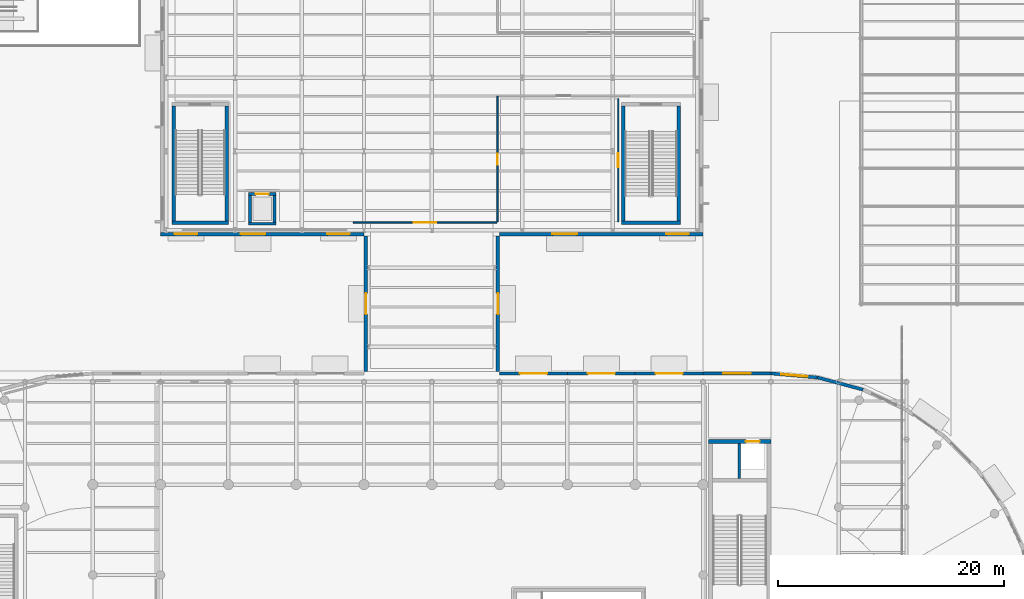
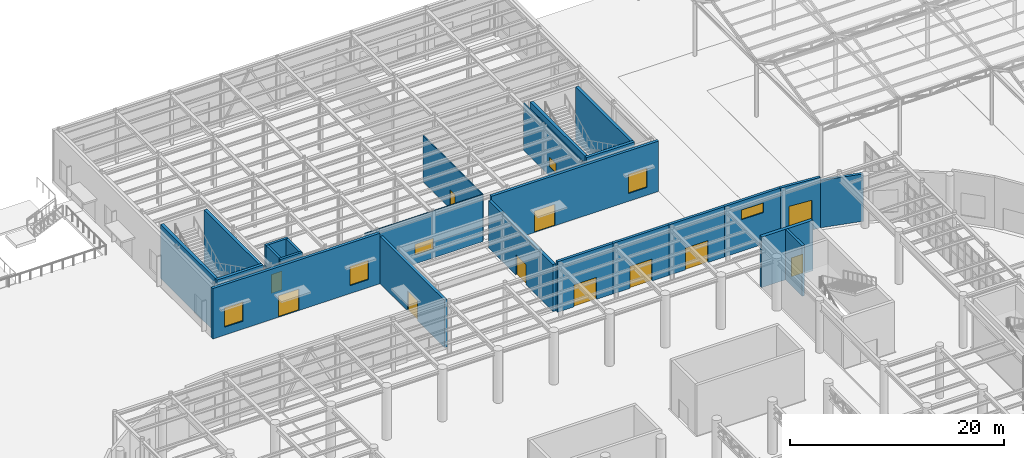
# One storey, part 92 of 118: 25 walls, 10 doors, 7 windows, 17 openings.
"""IFC4 building model written with IfcOpenShell, lengths in metres."""

from ifc_helpers import new_model, si_unit, direction, frame, frame_2d, origin, place, context, subcontext, project, spatial, rectangle, extrude, material, layer, layer_set, type_object, element, fill, save


model = new_model("IFC4")

# Units and contexts
model_context = context("Model", 3, precision=1e-05, world=origin(), true_north=direction((0.0, 1.0)))
body_context = subcontext(model_context, "Body", "Model", "MODEL_VIEW")
ifc_project = project(units=[si_unit("LENGTHUNIT", "METRE"), si_unit("AREAUNIT", "SQUARE_METRE"), si_unit("VOLUMEUNIT", "CUBIC_METRE"), si_unit("PLANEANGLEUNIT", "RADIAN"), si_unit("MASSUNIT", "GRAM", prefix="KILO")], contexts=[model_context])

# Site, building, storey
site_placement = place(None, origin())
site = spatial("IfcSite", under=ifc_project, at=site_placement, CompositionType="ELEMENT")
building_placement = place(site_placement, origin())
building = spatial("IfcBuilding", under=site, at=building_placement, Name="Kolvaren Corner Interchange", CompositionType="ELEMENT")
storey_placement = place(building_placement, origin())
storey = spatial("IfcBuildingStorey", under=building, at=storey_placement, Name="L01", CompositionType="ELEMENT", Elevation=0.0)

# Wall, opening, door
ifc_material_1 = material(Name="Concrete C35/45", Category="concrete")
ifc_layer_1 = layer(ifc_material_1, 0.35009765625)
ifc_layer_set_1 = layer_set([ifc_layer_1], Name="Concrete C35/45")
wall_type_1 = type_object("IfcWallType", Name="WL-CORE-350", PredefinedType="SHEAR", material=ifc_layer_set_1)
wall_1_placement = place(storey_placement, frame((114.5, 65.824951171875, 0.0), z_axis=(0.0, 0.0, 1.0), x_axis=(1.0, 0.0, 0.0)))
wall_1 = element("IfcWall", 1, at=wall_1_placement, inside=storey, type_object=wall_type_1, Name="Core C4 L01 North Shear Wall", PredefinedType="SHEAR", context=body_context, shape_type="SweptSolid", body=[
    extrude(rectangle(XDim=5.5, YDim=0.35009765625, at=frame_2d((2.75, 0.0))), origin(), (0.0, 0.0, 1.0), 5.75),
])
opening_1_placement = place(wall_1_placement, frame((3.2900390625, 0.0, 0.0)))
opening_1 = element("IfcOpeningElement", 2, at=opening_1_placement, cuts=wall_1, Name="Opening LD-LF-P2-L01", PredefinedType="OPENING", context=body_context, shape_type="SweptSolid", body=[
    extrude(rectangle(XDim=1.219970703125, YDim=2.14990234375, at=frame_2d((0.60986328125, 1.074951171875))), frame((0.0, 0.18505859375, 0.0), z_axis=(0.0, -1.0, 0.0), x_axis=(1.0, 0.0, 0.0)), (0.0, 0.0, 1.0), 0.3701171875),
])
ifc_material_2 = material(Name="Brushed Stainless Steel Landing Door", Category="steel")
door_type_1 = type_object("IfcDoorType", Name="DT-LIFT-1220", OperationType="NOTDEFINED", PredefinedType="DOOR", material=ifc_material_2)
door_1_placement = place(opening_1_placement, origin())
door_1 = element("IfcDoor", 3, at=door_1_placement, inside=storey, type_object=door_type_1, Name="Passenger Lift LF P2 L01 Sliding Landing Door", OperationType="DOUBLE_DOOR_SLIDING", OverallHeight=2.14990234375, OverallWidth=1.219970703125, PredefinedType="DOOR", context=body_context, shape_type="SweptSolid", body=[
    extrude(rectangle(XDim=1.219970703125, YDim=2.14990234375, at=frame_2d((0.60986328125, 1.074951171875))), frame((0.0, 0.02490234375, 0.0), z_axis=(0.0, -1.0, 0.0), x_axis=(1.0, 0.0, 0.0)), (0.0, 0.0, 1.0), 0.050048828125),
])
fill(opening_1, door_1)

# Walls
ifc_material_3 = material(Name="Concrete C35/45", Category="concrete")
ifc_layer_2 = layer(ifc_material_3, 0.31005859375)
ifc_layer_set_2 = layer_set([ifc_layer_2], Name="Concrete C35/45")
wall_type_2 = type_object("IfcWallType", Name="WL-STAIR-300", PredefinedType="SHEAR", material=ifc_layer_set_2)
wall_2_placement = place(storey_placement, frame((67.0, 85.155029296875, -0.39990234375), z_axis=(0.0, 0.0, 1.0), x_axis=(1.0, 0.0, 0.0)))
element("IfcWall", 4, at=wall_2_placement, inside=storey, type_object=wall_type_2, Name="Cycle Hub West Pavilion Exit Stair L01 South Enclosure Wall", PredefinedType="SHEAR", context=body_context, shape_type="SweptSolid", body=[
    extrude(rectangle(XDim=5.0, YDim=0.31005859375, at=frame_2d((2.5, 0.0))), origin(), (0.0, 0.0, 1.0), 6.14990234375),
])
for number, where, z_axis, x_axis, name in (
    (5, (67.155029296875, 85.31005859375, -0.39990234375), (0.0, 0.0, 1.0), (0.0, 1.0, 0.0), "Cycle Hub West Pavilion Exit Stair L01 West Enclosure Wall"),
    (6, (71.844970703125, 85.31005859375, -0.39990234375), (0.0, 0.0, 1.0), (0.0, 1.0, 0.0), "Cycle Hub West Pavilion Exit Stair L01 East Enclosure Wall"),
):
    element("IfcWall", number, at=place(storey_placement, frame(where, z_axis=z_axis, x_axis=x_axis)), inside=storey, type_object=wall_type_2, Name=name, PredefinedType="SHEAR", context=body_context, shape_type="SweptSolid", body=[
        extrude(rectangle(XDim=10.179931640625, YDim=0.31005859375, at=frame_2d((5.08984375, 0.0))), origin(), (0.0, 0.0, 1.0), 6.14990234375),
    ])
wall_3_placement = place(storey_placement, frame((106.800048828125, 85.155029296875, -0.39990234375), z_axis=(0.0, 0.0, 1.0), x_axis=(1.0, 0.0, 0.0)))
element("IfcWall", 7, at=wall_3_placement, inside=storey, type_object=wall_type_2, Name="Cycle Hub East Mezzanine Exit Stair L01 South Enclosure Wall", PredefinedType="SHEAR", context=body_context, shape_type="SweptSolid", body=[
    extrude(rectangle(XDim=5.199951171875, YDim=0.31005859375, at=frame_2d((2.60009765625, 0.0))), origin(), (0.0, 0.0, 1.0), 6.14990234375),
])
for number, where, z_axis, x_axis, name in (
    (8, (106.955078125, 85.31005859375, -0.39990234375), (0.0, 0.0, 1.0), (0.0, 1.0, 0.0), "Cycle Hub East Mezzanine Exit Stair L01 West Enclosure Wall"),
    (9, (111.844970703125, 85.31005859375, -0.39990234375), (0.0, 0.0, 1.0), (0.0, 1.0, 0.0), "Cycle Hub East Mezzanine Exit Stair L01 East Enclosure Wall"),
):
    element("IfcWall", number, at=place(storey_placement, frame(where, z_axis=z_axis, x_axis=x_axis)), inside=storey, type_object=wall_type_2, Name=name, PredefinedType="SHEAR", context=body_context, shape_type="SweptSolid", body=[
        extrude(rectangle(XDim=10.179931640625, YDim=0.31005859375, at=frame_2d((5.08984375, 0.0))), origin(), (0.0, 0.0, 1.0), 6.14990234375),
    ])

# Wall, openings, door, windows
ifc_material_4 = material(Name="Ochre Architectural Terracotta Rainscreen Assembly", Category="masonry")
ifc_layer_3 = layer(ifc_material_4, 0.300048828125)
ifc_layer_set_3 = layer_set([ifc_layer_3], Name="Ochre Architectural Terracotta Rainscreen Assembly")
wall_type_3 = type_object("IfcWallType", Name="WT-EXT-OCH300", PredefinedType="SOLIDWALL", material=ifc_layer_set_3)
wall_4_placement = place(storey_placement, frame((66.0, 84.159912109375, 0.0), z_axis=(0.0, 0.0, 1.0), x_axis=(1.0, 0.0, 0.0)))
wall_4 = element("IfcWall", 10, at=wall_4_placement, inside=storey, type_object=wall_type_3, Name="Cycle Hub South West Facade Wall 0168", PredefinedType="SOLIDWALL", context=body_context, shape_type="SweptSolid", body=[
    extrude(rectangle(XDim=18.0, YDim=0.300048828125, at=frame_2d((9.0, 0.0))), origin(), (0.0, 0.0, 1.0), 5.739990234375),
])
opening_2_placement = place(wall_4_placement, frame((7.080078125, 0.0, 0.0)))
opening_2 = element("IfcOpeningElement", 11, at=opening_2_placement, cuts=wall_4, Name="Opening D-E08", PredefinedType="OPENING", context=body_context, shape_type="SweptSolid", body=[
    extrude(rectangle(XDim=2.199951171875, YDim=2.449951171875, at=frame_2d((1.10009765625, 1.22509765625))), frame((0.0, 0.159912109375, 0.0), z_axis=(0.0, -1.0, 0.0), x_axis=(1.0, 0.0, 0.0)), (0.0, 0.0, 1.0), 0.320068359375),
])
opening_3_placement = place(wall_4_placement, frame((1.25, 0.0, 0.89990234375)))
opening_3 = element("IfcOpeningElement", 12, at=opening_3_placement, cuts=wall_4, Name="Opening W-06", PredefinedType="OPENING", context=body_context, shape_type="SweptSolid", body=[
    extrude(rectangle(XDim=2.0, YDim=2.199951171875, at=frame_2d((1.0, 1.10009765625))), frame((0.0, 0.159912109375, 0.0), z_axis=(0.0, -1.0, 0.0), x_axis=(1.0, 0.0, 0.0)), (0.0, 0.0, 1.0), 0.320068359375),
])
opening_4_placement = place(wall_4_placement, frame((14.75, 0.0, 0.89990234375)))
opening_4 = element("IfcOpeningElement", 13, at=opening_4_placement, cuts=wall_4, Name="Opening W-06", PredefinedType="OPENING", context=body_context, shape_type="SweptSolid", body=[
    extrude(rectangle(XDim=2.0, YDim=2.199951171875, at=frame_2d((1.0, 1.10009765625))), frame((0.0, 0.159912109375, 0.0), z_axis=(0.0, -1.0, 0.0), x_axis=(1.0, 0.0, 0.0)), (0.0, 0.0, 1.0), 0.320068359375),
])
ifc_material_5 = material(Name="Anodised Aluminium and Laminated Safety Glass", Category="aluminium")
door_type_2 = type_object("IfcDoorType", Name="DT-EXT-DBL2200", OperationType="NOTDEFINED", PredefinedType="DOOR", material=ifc_material_5)
door_2_placement = place(opening_2_placement, origin())
door_2 = element("IfcDoor", 14, at=door_2_placement, inside=storey, type_object=door_type_2, Name="L01 Cycle Hub South Entrance Door 025", OperationType="DOUBLE_DOOR_SINGLE_SWING", OverallHeight=2.449951171875, OverallWidth=2.199951171875, PredefinedType="DOOR", context=body_context, shape_type="SweptSolid", body=[
    extrude(rectangle(XDim=2.199951171875, YDim=2.449951171875, at=frame_2d((1.10009765625, 1.22509765625))), frame((0.0, 0.02490234375, 0.0), z_axis=(0.0, -1.0, 0.0), x_axis=(1.0, 0.0, 0.0)), (0.0, 0.0, 1.0), 0.050048828125),
])
fill(opening_2, door_2)
ifc_material_6 = material(Name="Thermally Broken Aluminium and Solar-Control Double Glazing", Category="aluminium")
window_type_1 = type_object("IfcWindowType", Name="WT-CYC-2000x2200", PartitioningType="DOUBLE_PANEL_HORIZONTAL", PredefinedType="WINDOW", material=ifc_material_6)
window_1_placement = place(opening_3_placement, origin())
window_1 = element("IfcWindow", 15, at=window_1_placement, inside=storey, type_object=window_type_1, Name="L01 Cycle Hub South West Facade Window 0245", OverallHeight=2.199951171875, OverallWidth=2.0, PartitioningType="SINGLE_PANEL", PredefinedType="WINDOW", context=body_context, shape_type="SweptSolid", body=[
    extrude(rectangle(XDim=2.0, YDim=2.199951171875, at=frame_2d((1.0, 1.10009765625))), frame((0.0, 0.030029296875, 0.0), z_axis=(0.0, -1.0, 0.0), x_axis=(1.0, 0.0, 0.0)), (0.0, 0.0, 1.0), 0.06005859375),
])
fill(opening_3, window_1)
window_2_placement = place(opening_4_placement, origin())
window_2 = element("IfcWindow", 16, at=window_2_placement, inside=storey, type_object=window_type_1, Name="L01 Cycle Hub South West Facade Window 0246", OverallHeight=2.199951171875, OverallWidth=2.0, PartitioningType="SINGLE_PANEL", PredefinedType="WINDOW", context=body_context, shape_type="SweptSolid", body=[
    extrude(rectangle(XDim=2.0, YDim=2.199951171875, at=frame_2d((1.0, 1.10009765625))), frame((0.0, 0.030029296875, 0.0), z_axis=(0.0, -1.0, 0.0), x_axis=(1.0, 0.0, 0.0)), (0.0, 0.0, 1.0), 0.06005859375),
])
fill(opening_4, window_2)

# Wall, openings, door, window
wall_5_placement = place(storey_placement, frame((96.0, 84.159912109375, 0.0), z_axis=(0.0, 0.0, 1.0), x_axis=(1.0, 0.0, 0.0)))
wall_5 = element("IfcWall", 17, at=wall_5_placement, inside=storey, type_object=wall_type_3, Name="Cycle Hub South East Facade Wall 0169", PredefinedType="SOLIDWALL", context=body_context, shape_type="SweptSolid", body=[
    extrude(rectangle(XDim=18.0, YDim=0.300048828125, at=frame_2d((9.0, 0.0))), origin(), (0.0, 0.0, 1.0), 5.739990234375),
])
opening_5_placement = place(wall_5_placement, frame((4.659912109375, 0.0, 0.0)))
opening_5 = element("IfcOpeningElement", 18, at=opening_5_placement, cuts=wall_5, Name="Opening D-E08", PredefinedType="OPENING", context=body_context, shape_type="SweptSolid", body=[
    extrude(rectangle(XDim=2.199951171875, YDim=2.449951171875, at=frame_2d((1.10009765625, 1.22509765625))), frame((0.0, 0.159912109375, 0.0), z_axis=(0.0, -1.0, 0.0), x_axis=(1.0, 0.0, 0.0)), (0.0, 0.0, 1.0), 0.320068359375),
])
opening_6_placement = place(wall_5_placement, frame((14.75, 0.0, 0.89990234375)))
opening_6 = element("IfcOpeningElement", 19, at=opening_6_placement, cuts=wall_5, Name="Opening W-06", PredefinedType="OPENING", context=body_context, shape_type="SweptSolid", body=[
    extrude(rectangle(XDim=2.0, YDim=2.199951171875, at=frame_2d((1.0, 1.10009765625))), frame((0.0, 0.159912109375, 0.0), z_axis=(0.0, -1.0, 0.0), x_axis=(1.0, 0.0, 0.0)), (0.0, 0.0, 1.0), 0.320068359375),
])
door_3_placement = place(opening_5_placement, origin())
door_3 = element("IfcDoor", 20, at=door_3_placement, inside=storey, type_object=door_type_2, Name="L01 Cycle Workshop Plinth Entrance Door 026", OperationType="DOUBLE_DOOR_SINGLE_SWING", OverallHeight=2.449951171875, OverallWidth=2.199951171875, PredefinedType="DOOR", context=body_context, shape_type="SweptSolid", body=[
    extrude(rectangle(XDim=2.199951171875, YDim=2.449951171875, at=frame_2d((1.10009765625, 1.22509765625))), frame((0.0, 0.02490234375, 0.0), z_axis=(0.0, -1.0, 0.0), x_axis=(1.0, 0.0, 0.0)), (0.0, 0.0, 1.0), 0.050048828125),
])
fill(opening_5, door_3)
window_3_placement = place(opening_6_placement, origin())
window_3 = element("IfcWindow", 21, at=window_3_placement, inside=storey, type_object=window_type_1, Name="L01 Cycle Hub South East Facade Window 0247", OverallHeight=2.199951171875, OverallWidth=2.0, PartitioningType="SINGLE_PANEL", PredefinedType="WINDOW", context=body_context, shape_type="SweptSolid", body=[
    extrude(rectangle(XDim=2.0, YDim=2.199951171875, at=frame_2d((1.0, 1.10009765625))), frame((0.0, 0.030029296875, 0.0), z_axis=(0.0, -1.0, 0.0), x_axis=(1.0, 0.0, 0.0)), (0.0, 0.0, 1.0), 0.06005859375),
])
fill(opening_6, window_3)

# Wall, opening, door
wall_6_placement = place(storey_placement, frame((84.159912109375, 84.0, 0.0), z_axis=(0.0, 0.0, 1.0), x_axis=(0.0, -1.0, 0.0)))
wall_6 = element("IfcWall", 22, at=wall_6_placement, inside=storey, type_object=wall_type_3, Name="Cycle Concourse Link West Wall 0183", PredefinedType="SOLIDWALL", context=body_context, shape_type="SweptSolid", body=[
    extrude(rectangle(XDim=12.0, YDim=0.300048828125, at=frame_2d((6.0, 0.0))), origin(), (0.0, 0.0, 1.0), 5.375),
])
opening_7_placement = place(wall_6_placement, frame((5.074951171875, 0.0, 0.0)))
opening_7 = element("IfcOpeningElement", 23, at=opening_7_placement, cuts=wall_6, Name="Opening D-E09", PredefinedType="OPENING", context=body_context, shape_type="SweptSolid", body=[
    extrude(rectangle(XDim=1.85009765625, YDim=2.300048828125, at=frame_2d((0.925048828125, 1.14990234375))), frame((0.0, 0.159912109375, 0.0), z_axis=(0.0, -1.0, 0.0), x_axis=(1.0, 0.0, 0.0)), (0.0, 0.0, 1.0), 0.320068359375),
])
ifc_material_7 = material(Name="Anodised Aluminium and Laminated Safety Glass", Category="aluminium")
door_type_3 = type_object("IfcDoorType", Name="DT-EXT-DBL1850", OperationType="NOTDEFINED", PredefinedType="DOOR", material=ifc_material_7)
door_4_placement = place(opening_7_placement, origin())
door_4 = element("IfcDoor", 24, at=door_4_placement, inside=storey, type_object=door_type_3, Name="L01 Cycle Link Rain Court West Exit Door 030", OperationType="DOUBLE_DOOR_SINGLE_SWING", OverallHeight=2.300048828125, OverallWidth=1.85009765625, PredefinedType="DOOR", context=body_context, shape_type="SweptSolid", body=[
    extrude(rectangle(XDim=1.85009765625, YDim=2.300048828125, at=frame_2d((0.925048828125, 1.14990234375))), frame((0.0, 0.02490234375, 0.0), z_axis=(0.0, -1.0, 0.0), x_axis=(1.0, 0.0, 0.0)), (0.0, 0.0, 1.0), 0.050048828125),
])
fill(opening_7, door_4)

wall_7_placement = place(storey_placement, frame((95.840087890625, 72.0, 0.0), z_axis=(0.0, 0.0, 1.0), x_axis=(0.0, 1.0, 0.0)))
wall_7 = element("IfcWall", 25, at=wall_7_placement, inside=storey, type_object=wall_type_3, Name="Cycle Concourse Link East Wall 0184", PredefinedType="SOLIDWALL", context=body_context, shape_type="SweptSolid", body=[
    extrude(rectangle(XDim=12.0, YDim=0.300048828125, at=frame_2d((6.0, 0.0))), origin(), (0.0, 0.0, 1.0), 5.375),
])
opening_8_placement = place(wall_7_placement, frame((5.074951171875, 0.0, 0.0)))
opening_8 = element("IfcOpeningElement", 26, at=opening_8_placement, cuts=wall_7, Name="Opening D-E09", PredefinedType="OPENING", context=body_context, shape_type="SweptSolid", body=[
    extrude(rectangle(XDim=1.85009765625, YDim=2.300048828125, at=frame_2d((0.925048828125, 1.14990234375))), frame((0.0, 0.159912109375, 0.0), z_axis=(0.0, -1.0, 0.0), x_axis=(1.0, 0.0, 0.0)), (0.0, 0.0, 1.0), 0.320068359375),
])
door_5_placement = place(opening_8_placement, origin())
door_5 = element("IfcDoor", 27, at=door_5_placement, inside=storey, type_object=door_type_3, Name="L01 Cycle Link Rain Court East Exit Door 031", OperationType="DOUBLE_DOOR_SINGLE_SWING", OverallHeight=2.300048828125, OverallWidth=1.85009765625, PredefinedType="DOOR", context=body_context, shape_type="SweptSolid", body=[
    extrude(rectangle(XDim=1.85009765625, YDim=2.300048828125, at=frame_2d((0.925048828125, 1.14990234375))), frame((0.0, 0.02490234375, 0.0), z_axis=(0.0, -1.0, 0.0), x_axis=(1.0, 0.0, 0.0)), (0.0, 0.0, 1.0), 0.050048828125),
])
fill(opening_8, door_5)

# Wall
ifc_material_8 = material(Name="White Glazed Ceramic Terracotta Band Assembly", Category="masonry")
ifc_layer_4 = layer(ifc_material_8, 0.280029296875)
ifc_layer_set_4 = layer_set([ifc_layer_4], Name="White Glazed Ceramic Terracotta Band Assembly")
wall_type_4 = type_object("IfcWallType", Name="WT-EXT-WHT280", PredefinedType="SOLIDWALL", material=ifc_layer_set_4)
wall_8_placement = place(storey_placement, frame((128.15380859375, 70.40234375, 0.0), z_axis=(0.0, 0.0, 1.0), x_axis=(-0.965931006096, 0.258799713026, 0.0)))
element("IfcWall", 28, at=wall_8_placement, inside=storey, type_object=wall_type_4, Name="Racetrack East Curved Drum Chord 17 Wall 0114", PredefinedType="SOLIDWALL", context=body_context, shape_type="SweptSolid", body=[
    extrude(rectangle(XDim=4.155517578125, YDim=0.280029296875, at=frame_2d((2.07763671875, 0.0))), origin(), (0.0, 0.0, 1.0), 5.385009765625),
])

# Wall, opening, window
wall_9_placement = place(storey_placement, frame((124.139892578125, 71.477783203125, 0.0), z_axis=(0.0, 0.0, 1.0), x_axis=(-0.99619237826, 0.087182254487, 0.0)))
wall_9 = element("IfcWall", 29, at=wall_9_placement, inside=storey, type_object=wall_type_4, Name="Racetrack East Curved Drum Chord 18 Wall 0115", PredefinedType="SOLIDWALL", context=body_context, shape_type="SweptSolid", body=[
    extrude(rectangle(XDim=4.15576171875, YDim=0.280029296875, at=frame_2d((2.077880859375, 0.0))), origin(), (0.0, 0.0, 1.0), 5.75),
])
opening_9_placement = place(wall_9_placement, frame((0.90283203125, 0.0, 0.85009765625)))
opening_9 = element("IfcOpeningElement", 30, at=opening_9_placement, cuts=wall_9, Name="Opening W-15", PredefinedType="OPENING", context=body_context, shape_type="SweptSolid", body=[
    extrude(rectangle(XDim=2.35009765625, YDim=2.550048828125, at=frame_2d((1.175048828125, 1.27490234375))), frame((0.0, 0.14990234375, 0.0), z_axis=(0.0, -1.0, 0.0), x_axis=(1.0, 0.0, 0.0)), (0.0, 0.0, 1.0), 0.300048828125),
])
ifc_material_9 = material(Name="Thermally Broken Aluminium and Solar-Control Double Glazing", Category="aluminium")
window_type_2 = type_object("IfcWindowType", Name="WT-ARC-2350x2550", PartitioningType="TRIPLE_PANEL_HORIZONTAL", PredefinedType="WINDOW", material=ifc_material_9)
window_4_placement = place(opening_9_placement, origin())
window_4 = element("IfcWindow", 31, at=window_4_placement, inside=storey, type_object=window_type_2, Name="L01 Racetrack East Curved Drum Chord 18 Window 0183", OverallHeight=2.550048828125, OverallWidth=2.35009765625, PartitioningType="SINGLE_PANEL", PredefinedType="WINDOW", context=body_context, shape_type="SweptSolid", body=[
    extrude(rectangle(XDim=2.35009765625, YDim=2.550048828125, at=frame_2d((1.175048828125, 1.27490234375))), frame((0.0, 0.030029296875, 0.0), z_axis=(0.0, -1.0, 0.0), x_axis=(1.0, 0.0, 0.0)), (0.0, 0.0, 1.0), 0.06005859375),
])
fill(opening_9, window_4)

# Wall, opening, door
wall_10_placement = place(storey_placement, frame((102.0, 71.840087890625, 0.0), z_axis=(0.0, 0.0, 1.0), x_axis=(-1.0, 0.0, 0.0)))
wall_10 = element("IfcWall", 32, at=wall_10_placement, inside=storey, type_object=wall_type_4, Name="North Court East 1 Wall 0161", PredefinedType="SOLIDWALL", context=body_context, shape_type="SweptSolid", body=[
    extrude(rectangle(XDim=6.0, YDim=0.280029296875, at=frame_2d((3.0, 0.0))), origin(), (0.0, 0.0, 1.0), 5.75),
])
opening_10_placement = place(wall_10_placement, frame((1.800048828125, 0.0, 0.0)))
opening_10 = element("IfcOpeningElement", 33, at=opening_10_placement, cuts=wall_10, Name="Opening D-E01", PredefinedType="OPENING", context=body_context, shape_type="SweptSolid", body=[
    extrude(rectangle(XDim=2.39990234375, YDim=2.5, at=frame_2d((1.199951171875, 1.25))), frame((0.0, 0.14990234375, 0.0), z_axis=(0.0, -1.0, 0.0), x_axis=(1.0, 0.0, 0.0)), (0.0, 0.0, 1.0), 0.300048828125),
])
ifc_material_10 = material(Name="Anodised Aluminium and Laminated Safety Glass", Category="aluminium")
door_type_4 = type_object("IfcDoorType", Name="DT-EXT-DBL2400", OperationType="NOTDEFINED", PredefinedType="DOOR", material=ifc_material_10)
door_6_placement = place(opening_10_placement, origin())
door_6 = element("IfcDoor", 34, at=door_6_placement, inside=storey, type_object=door_type_4, Name="L01 North Court East 1 Court Exit Door 022", OperationType="DOUBLE_DOOR_SINGLE_SWING", OverallHeight=2.5, OverallWidth=2.39990234375, PredefinedType="DOOR", context=body_context, shape_type="SweptSolid", body=[
    extrude(rectangle(XDim=2.39990234375, YDim=2.5, at=frame_2d((1.199951171875, 1.25))), frame((0.0, 0.02490234375, 0.0), z_axis=(0.0, -1.0, 0.0), x_axis=(1.0, 0.0, 0.0)), (0.0, 0.0, 1.0), 0.050048828125),
])
fill(opening_10, door_6)

wall_11_placement = place(storey_placement, frame((108.0, 71.840087890625, 0.0), z_axis=(0.0, 0.0, 1.0), x_axis=(-1.0, 0.0, 0.0)))
wall_11 = element("IfcWall", 35, at=wall_11_placement, inside=storey, type_object=wall_type_4, Name="North Court East 2 Wall 0162", PredefinedType="SOLIDWALL", context=body_context, shape_type="SweptSolid", body=[
    extrude(rectangle(XDim=6.0, YDim=0.280029296875, at=frame_2d((3.0, 0.0))), origin(), (0.0, 0.0, 1.0), 5.75),
])
opening_11_placement = place(wall_11_placement, frame((1.800048828125, 0.0, 0.0)))
opening_11 = element("IfcOpeningElement", 36, at=opening_11_placement, cuts=wall_11, Name="Opening D-E01", PredefinedType="OPENING", context=body_context, shape_type="SweptSolid", body=[
    extrude(rectangle(XDim=2.39990234375, YDim=2.5, at=frame_2d((1.199951171875, 1.25))), frame((0.0, 0.14990234375, 0.0), z_axis=(0.0, -1.0, 0.0), x_axis=(1.0, 0.0, 0.0)), (0.0, 0.0, 1.0), 0.300048828125),
])
door_7_placement = place(opening_11_placement, origin())
door_7 = element("IfcDoor", 37, at=door_7_placement, inside=storey, type_object=door_type_4, Name="L01 North Court East 2 Court Exit Door 023", OperationType="DOUBLE_DOOR_SINGLE_SWING", OverallHeight=2.5, OverallWidth=2.39990234375, PredefinedType="DOOR", context=body_context, shape_type="SweptSolid", body=[
    extrude(rectangle(XDim=2.39990234375, YDim=2.5, at=frame_2d((1.199951171875, 1.25))), frame((0.0, 0.02490234375, 0.0), z_axis=(0.0, -1.0, 0.0), x_axis=(1.0, 0.0, 0.0)), (0.0, 0.0, 1.0), 0.050048828125),
])
fill(opening_11, door_7)

wall_12_placement = place(storey_placement, frame((114.0, 71.840087890625, 0.0), z_axis=(0.0, 0.0, 1.0), x_axis=(-1.0, 0.0, 0.0)))
wall_12 = element("IfcWall", 38, at=wall_12_placement, inside=storey, type_object=wall_type_4, Name="North Court East 3 Wall 0163", PredefinedType="SOLIDWALL", context=body_context, shape_type="SweptSolid", body=[
    extrude(rectangle(XDim=6.0, YDim=0.280029296875, at=frame_2d((3.0, 0.0))), origin(), (0.0, 0.0, 1.0), 5.75),
])
opening_12_placement = place(wall_12_placement, frame((1.800048828125, 0.0, 0.0)))
opening_12 = element("IfcOpeningElement", 39, at=opening_12_placement, cuts=wall_12, Name="Opening D-E01", PredefinedType="OPENING", context=body_context, shape_type="SweptSolid", body=[
    extrude(rectangle(XDim=2.39990234375, YDim=2.5, at=frame_2d((1.199951171875, 1.25))), frame((0.0, 0.14990234375, 0.0), z_axis=(0.0, -1.0, 0.0), x_axis=(1.0, 0.0, 0.0)), (0.0, 0.0, 1.0), 0.300048828125),
])
door_8_placement = place(opening_12_placement, origin())
door_8 = element("IfcDoor", 40, at=door_8_placement, inside=storey, type_object=door_type_4, Name="L01 North Court East 3 Court Exit Door 024", OperationType="DOUBLE_DOOR_SINGLE_SWING", OverallHeight=2.5, OverallWidth=2.39990234375, PredefinedType="DOOR", context=body_context, shape_type="SweptSolid", body=[
    extrude(rectangle(XDim=2.39990234375, YDim=2.5, at=frame_2d((1.199951171875, 1.25))), frame((0.0, 0.02490234375, 0.0), z_axis=(0.0, -1.0, 0.0), x_axis=(1.0, 0.0, 0.0)), (0.0, 0.0, 1.0), 0.050048828125),
])
fill(opening_12, door_8)

# Wall, opening, window
wall_13_placement = place(storey_placement, frame((120.0, 71.840087890625, 0.0), z_axis=(0.0, 0.0, 1.0), x_axis=(-1.0, 0.0, 0.0)))
wall_13 = element("IfcWall", 41, at=wall_13_placement, inside=storey, type_object=wall_type_4, Name="North East Concourse Wall 0164", PredefinedType="SOLIDWALL", context=body_context, shape_type="SweptSolid", body=[
    extrude(rectangle(XDim=6.0, YDim=0.280029296875, at=frame_2d((3.0, 0.0))), origin(), (0.0, 0.0, 1.0), 5.75),
])
opening_13_placement = place(wall_13_placement, frame((1.800048828125, 0.0, 3.60009765625)))
opening_13 = element("IfcOpeningElement", 42, at=opening_13_placement, cuts=wall_13, Name="Opening W-17", PredefinedType="OPENING", context=body_context, shape_type="SweptSolid", body=[
    extrude(rectangle(XDim=2.39990234375, YDim=1.10009765625, at=frame_2d((1.199951171875, 0.550048828125))), frame((0.0, 0.14990234375, 0.0), z_axis=(0.0, -1.0, 0.0), x_axis=(1.0, 0.0, 0.0)), (0.0, 0.0, 1.0), 0.300048828125),
])
ifc_material_11 = material(Name="Thermally Broken Aluminium and Solar-Control Double Glazing", Category="aluminium")
window_type_3 = type_object("IfcWindowType", Name="WT-CLER-2400x1100", PartitioningType="DOUBLE_PANEL_HORIZONTAL", PredefinedType="WINDOW", material=ifc_material_11)
window_5_placement = place(opening_13_placement, origin())
window_5 = element("IfcWindow", 43, at=window_5_placement, inside=storey, type_object=window_type_3, Name="L01 North East Concourse Window 0219", OverallHeight=1.10009765625, OverallWidth=2.39990234375, PartitioningType="SINGLE_PANEL", PredefinedType="WINDOW", context=body_context, shape_type="SweptSolid", body=[
    extrude(rectangle(XDim=2.39990234375, YDim=1.10009765625, at=frame_2d((1.199951171875, 0.550048828125))), frame((0.0, 0.030029296875, 0.0), z_axis=(0.0, -1.0, 0.0), x_axis=(1.0, 0.0, 0.0)), (0.0, 0.0, 1.0), 0.06005859375),
])
fill(opening_13, window_5)

ifc_material_12 = material(Name="Standard Metal-Stud Drywall Partition")
ifc_layer_5 = layer(ifc_material_12, 0.1201171875)
ifc_layer_set_5 = layer_set([ifc_layer_5], Name="Standard Metal-Stud Drywall Partition")
wall_type_5 = type_object("IfcWallType", Name="WT-PART-ST125", PredefinedType="PARTITIONING", material=ifc_layer_set_5)
wall_14_placement = place(storey_placement, frame((83.050048828125, 85.199951171875, 0.0), z_axis=(0.0, 0.0, 1.0), x_axis=(1.0, 0.0, 0.0)))
wall_14 = element("IfcWall", 44, at=wall_14_placement, inside=storey, type_object=wall_type_5, Name="L01 Cycle Hub Rack Hall Partition Wall 043", PredefinedType="PARTITIONING", context=body_context, shape_type="SweptSolid", body=[
    extrude(rectangle(XDim=12.699951171875, YDim=0.1201171875, at=frame_2d((6.35009765625, 0.0))), origin(), (0.0, 0.0, 1.0), 5.3349609375),
])
opening_14_placement = place(wall_14_placement, frame((5.35009765625, 0.0, 1.050048828125)))
opening_14 = element("IfcOpeningElement", 45, at=opening_14_placement, cuts=wall_14, Name="Opening W-I01", PredefinedType="OPENING", context=body_context, shape_type="SweptSolid", body=[
    extrude(rectangle(XDim=2.0, YDim=1.199951171875, at=frame_2d((1.0, 0.60009765625))), frame((0.0, 0.070068359375, 0.0), z_axis=(0.0, -1.0, 0.0), x_axis=(1.0, 0.0, 0.0)), (0.0, 0.0, 1.0), 0.14013671875),
])
ifc_material_13 = material(Name="Acoustic Laminated Interior Vision Glazing", Category="glass")
window_type_4 = type_object("IfcWindowType", Name="WT-INT-2000x1200", PartitioningType="DOUBLE_PANEL_HORIZONTAL", PredefinedType="WINDOW", material=ifc_material_13)
window_6_placement = place(opening_14_placement, origin())
window_6 = element("IfcWindow", 46, at=window_6_placement, inside=storey, type_object=window_type_4, Name="L01 Interior Vision Glazing 17", OverallHeight=1.199951171875, OverallWidth=2.0, PartitioningType="SINGLE_PANEL", PredefinedType="WINDOW", context=body_context, shape_type="SweptSolid", body=[
    extrude(rectangle(XDim=2.0, YDim=1.199951171875, at=frame_2d((1.0, 0.60009765625))), frame((0.0, 0.030029296875, 0.0), z_axis=(0.0, -1.0, 0.0), x_axis=(1.0, 0.0, 0.0)), (0.0, 0.0, 1.0), 0.06005859375),
])
fill(opening_14, window_6)

# Wall, opening, door
wall_15_placement = place(storey_placement, frame((95.800048828125, 85.261962890625, 0.0), z_axis=(0.0, 0.0, 1.0), x_axis=(0.0, 1.0, 0.0)))
wall_15 = element("IfcWall", 47, at=wall_15_placement, inside=storey, type_object=wall_type_5, Name="L01 Cycle Hub Rack Hall Partition Wall 044", PredefinedType="PARTITIONING", context=body_context, shape_type="SweptSolid", body=[
    extrude(rectangle(XDim=11.088134765625, YDim=0.1201171875, at=frame_2d((5.5439453125, 0.0))), origin(), (0.0, 0.0, 1.0), 5.284912109375),
])
opening_15_placement = place(wall_15_placement, frame((5.053955078125, 0.0, 0.0)))
opening_15 = element("IfcOpeningElement", 48, at=opening_15_placement, cuts=wall_15, Name="Opening D-I03", PredefinedType="OPENING", context=body_context, shape_type="SweptSolid", body=[
    extrude(rectangle(XDim=0.97998046875, YDim=2.14990234375, at=frame_2d((0.489990234375, 1.074951171875))), frame((0.0, 0.070068359375, 0.0), z_axis=(0.0, -1.0, 0.0), x_axis=(1.0, 0.0, 0.0)), (0.0, 0.0, 1.0), 0.14013671875),
])
ifc_material_14 = material(Name="Solid-Core Iroko Timber Door", Category="wood")
door_type_5 = type_object("IfcDoorType", Name="DT-INT-980x2150", OperationType="NOTDEFINED", PredefinedType="DOOR", material=ifc_material_14)
door_9_placement = place(opening_15_placement, origin())
door_9 = element("IfcDoor", 49, at=door_9_placement, inside=storey, type_object=door_type_5, Name="L01 Cycle Repair Workshop Door", OperationType="SINGLE_SWING_LEFT", OverallHeight=2.14990234375, OverallWidth=0.97998046875, PredefinedType="DOOR", context=body_context, shape_type="SweptSolid", body=[
    extrude(rectangle(XDim=0.97998046875, YDim=2.14990234375, at=frame_2d((0.489990234375, 1.074951171875))), frame((0.0, 0.02490234375, 0.0), z_axis=(0.0, -1.0, 0.0), x_axis=(1.0, 0.0, 0.0)), (0.0, 0.0, 1.0), 0.050048828125),
])
fill(opening_15, door_9)

# Wall, opening, window
wall_16_placement = place(storey_placement, frame((106.5, 85.25, 0.0), z_axis=(0.0, 0.0, 1.0), x_axis=(0.0, 1.0, 0.0)))
wall_16 = element("IfcWall", 50, at=wall_16_placement, inside=storey, type_object=wall_type_5, Name="L01 Cycle Repair Workshop Partition Wall 049", PredefinedType="PARTITIONING", context=body_context, shape_type="SweptSolid", body=[
    extrude(rectangle(XDim=10.89990234375, YDim=0.1201171875, at=frame_2d((5.449951171875, 0.0))), origin(), (0.0, 0.0, 1.0), 5.364990234375),
])
opening_16_placement = place(wall_16_placement, frame((4.85009765625, 0.0, 1.050048828125)))
opening_16 = element("IfcOpeningElement", 51, at=opening_16_placement, cuts=wall_16, Name="Opening W-I04", PredefinedType="OPENING", context=body_context, shape_type="SweptSolid", body=[
    extrude(rectangle(XDim=1.199951171875, YDim=1.10009765625, at=frame_2d((0.60009765625, 0.550048828125))), frame((0.0, 0.070068359375, 0.0), z_axis=(0.0, -1.0, 0.0), x_axis=(1.0, 0.0, 0.0)), (0.0, 0.0, 1.0), 0.14013671875),
])
ifc_material_15 = material(Name="Acoustic Partition Vision Panel")
window_type_5 = type_object("IfcWindowType", Name="WT-INT-1200x1100", PartitioningType="SINGLE_PANEL", PredefinedType="WINDOW", material=ifc_material_15)
window_7_placement = place(opening_16_placement, origin())
window_7 = element("IfcWindow", 52, at=window_7_placement, inside=storey, type_object=window_type_5, Name="L01 Interior Vision Glazing 20", OverallHeight=1.10009765625, OverallWidth=1.199951171875, PartitioningType="SINGLE_PANEL", PredefinedType="WINDOW", context=body_context, shape_type="SweptSolid", body=[
    extrude(rectangle(XDim=1.199951171875, YDim=1.10009765625, at=frame_2d((0.60009765625, 0.550048828125))), frame((0.0, 0.030029296875, 0.0), z_axis=(0.0, -1.0, 0.0), x_axis=(1.0, 0.0, 0.0)), (0.0, 0.0, 1.0), 0.06005859375),
])
fill(opening_16, window_7)

# Walls
ifc_material_16 = material(Name="Concrete C35/45", Category="concrete")
ifc_layer_6 = layer(ifc_material_16, 0.25)
ifc_layer_set_6 = layer_set([ifc_layer_6], Name="Concrete C35/45")
wall_type_6 = type_object("IfcWallType", Name="WT-SHAFT-RC250", PredefinedType="SHEAR", material=ifc_layer_set_6)
wall_17_placement = place(storey_placement, frame((117.199951171875, 62.554931640625, 0.0), z_axis=(0.0, 0.0, 1.0), x_axis=(0.0, 1.0, 0.0)))
element("IfcWall", 53, at=wall_17_placement, inside=storey, type_object=wall_type_6, Name="Core L01 C4 Passenger Lift Side Wall", PredefinedType="SHEAR", context=body_context, shape_type="SweptSolid", body=[
    extrude(rectangle(XDim=3.094970703125, YDim=0.25, at=frame_2d((1.54736328125, 0.0))), origin(), (0.0, 0.0, 1.0), 5.75),
])
wall_18_placement = place(storey_placement, frame((73.800048828125, 85.074951171875, 0.0), z_axis=(0.0, 0.0, 1.0), x_axis=(1.0, 0.0, 0.0)))
element("IfcWall", 54, at=wall_18_placement, inside=storey, type_object=wall_type_6, Name="Cycle Lift L01 South Shaft Wall", PredefinedType="SHEAR", context=body_context, shape_type="SweptSolid", body=[
    extrude(rectangle(XDim=2.39990234375, YDim=0.25, at=frame_2d((1.199951171875, 0.0))), origin(), (0.0, 0.0, 1.0), 5.739990234375),
])

# Wall, opening, door
wall_19_placement = place(storey_placement, frame((73.800048828125, 87.72509765625, 0.0), z_axis=(0.0, 0.0, 1.0), x_axis=(1.0, 0.0, 0.0)))
wall_19 = element("IfcWall", 55, at=wall_19_placement, inside=storey, type_object=wall_type_6, Name="Cycle Lift L01 North Shaft Wall", PredefinedType="SHEAR", context=body_context, shape_type="SweptSolid", body=[
    extrude(rectangle(XDim=2.39990234375, YDim=0.25, at=frame_2d((1.199951171875, 0.0))), origin(), (0.0, 0.0, 1.0), 5.739990234375),
])
opening_17_placement = place(wall_19_placement, frame((0.639892578125, 0.0, 0.0)))
opening_17 = element("IfcOpeningElement", 56, at=opening_17_placement, cuts=wall_19, Name="Opening LD-LF-P4-L01", PredefinedType="OPENING", context=body_context, shape_type="SweptSolid", body=[
    extrude(rectangle(XDim=1.1201171875, YDim=2.14990234375, at=frame_2d((0.56005859375, 1.074951171875))), frame((0.0, 0.135009765625, 0.0), z_axis=(0.0, -1.0, 0.0), x_axis=(1.0, 0.0, 0.0)), (0.0, 0.0, 1.0), 0.27001953125),
])
ifc_material_17 = material(Name="Brushed Stainless Steel Landing Door", Category="steel")
door_type_6 = type_object("IfcDoorType", Name="DT-LIFT-1120", OperationType="NOTDEFINED", PredefinedType="DOOR", material=ifc_material_17)
door_10_placement = place(opening_17_placement, origin())
door_10 = element("IfcDoor", 57, at=door_10_placement, inside=storey, type_object=door_type_6, Name="Cycle Hub Lift LF P4 L01 Sliding Landing Door", OperationType="SLIDING_TO_LEFT", OverallHeight=2.14990234375, OverallWidth=1.1201171875, PredefinedType="DOOR", context=body_context, shape_type="SweptSolid", body=[
    extrude(rectangle(XDim=1.1201171875, YDim=2.14990234375, at=frame_2d((0.56005859375, 1.074951171875))), frame((0.0, 0.02490234375, 0.0), z_axis=(0.0, -1.0, 0.0), x_axis=(1.0, 0.0, 0.0)), (0.0, 0.0, 1.0), 0.050048828125),
])
fill(opening_17, door_10)

# Walls
for number, where, z_axis, x_axis, name in (
    (58, (73.925048828125, 85.199951171875, 0.0), (0.0, 0.0, 1.0), (0.0, 1.0, 0.0), "Cycle Lift L01 West Shaft Wall"),
    (59, (76.074951171875, 85.199951171875, 0.0), (0.0, 0.0, 1.0), (0.0, 1.0, 0.0), "Cycle Lift L01 East Shaft Wall"),
):
    element("IfcWall", number, at=place(storey_placement, frame(where, z_axis=z_axis, x_axis=x_axis)), inside=storey, type_object=wall_type_6, Name=name, PredefinedType="SHEAR", context=body_context, shape_type="SweptSolid", body=[
        extrude(rectangle(XDim=2.400146484375, YDim=0.25, at=frame_2d((1.2001953125, 0.0))), origin(), (0.0, 0.0, 1.0), 5.739990234375),
    ])

save(model, "model.ifc")
